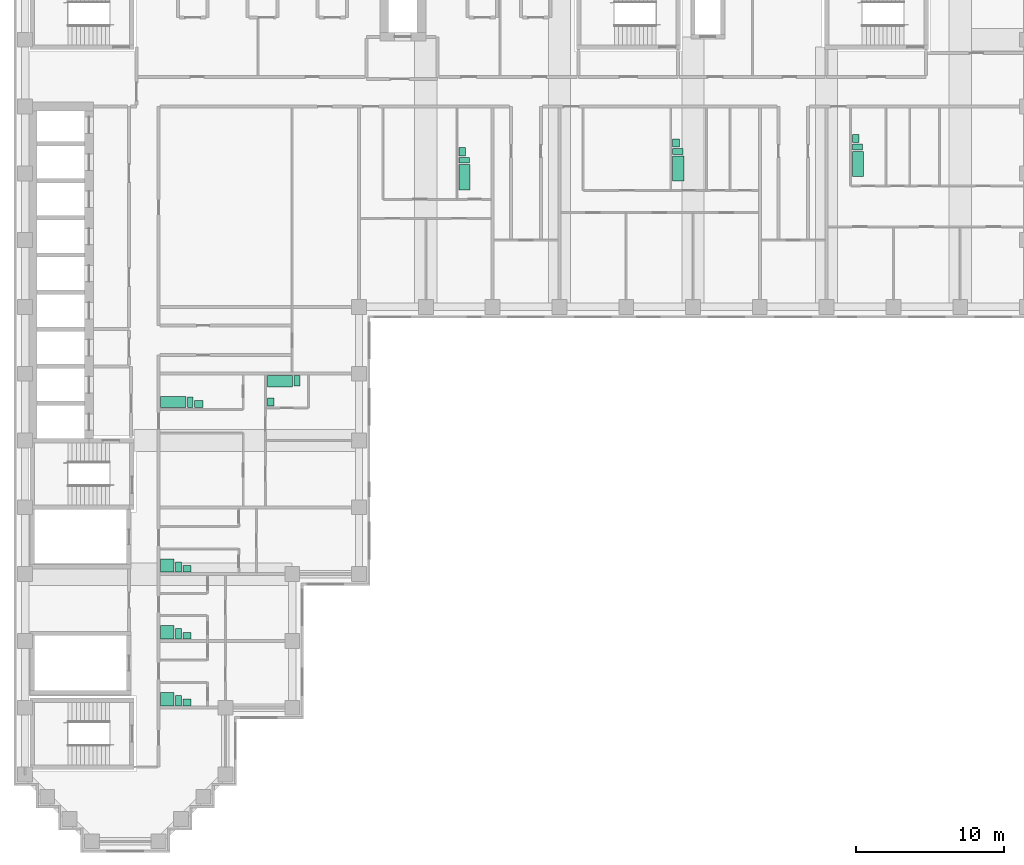
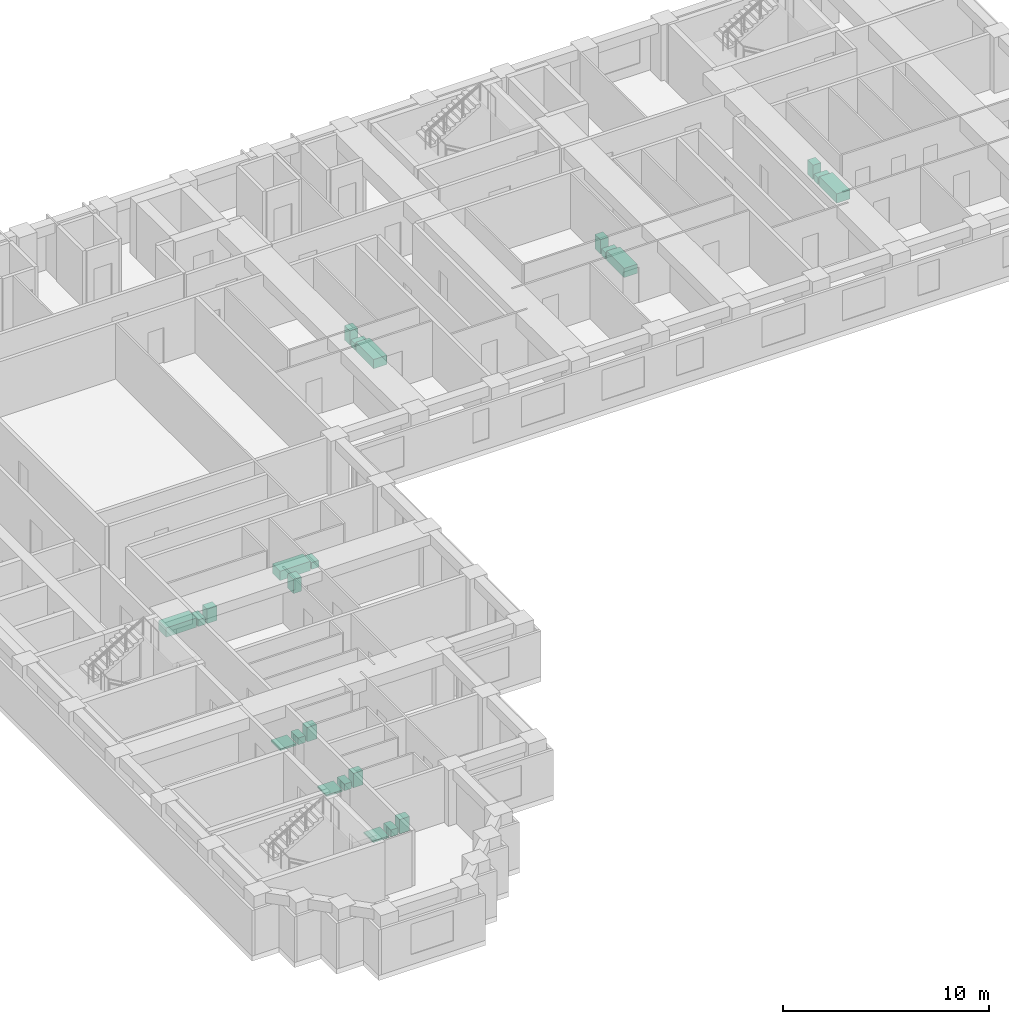
# One storey, part 12 of 12: 24 sanitary terminals.
"""IFC4 building model written with IfcOpenShell, lengths in metres."""

from ifc_helpers import new_model, si_unit, direction, frame, origin, origin_2d, place, context, subcontext, project, spatial, rectangle, extrude, material, type_object, element, save


model = new_model("IFC4")

# Units and contexts
model_context = context("Model", 3, precision=1e-05, world=origin(), true_north=direction((0.0, 1.0)))
body_context = subcontext(model_context, "Body", "Model", "MODEL_VIEW")
ifc_project = project(units=[si_unit("LENGTHUNIT", "METRE"), si_unit("AREAUNIT", "SQUARE_METRE"), si_unit("VOLUMEUNIT", "CUBIC_METRE"), si_unit("PLANEANGLEUNIT", "RADIAN"), si_unit("MASSUNIT", "GRAM", prefix="KILO")], contexts=[model_context])

# Site, building, storey
site_placement = place(None, origin())
site = spatial("IfcSite", under=ifc_project, at=site_placement, CompositionType="ELEMENT")
building_placement = place(site_placement, origin())
building = spatial("IfcBuilding", under=site, at=building_placement, Name="Firuza Court", CompositionType="ELEMENT")
storey_placement = place(building_placement, frame((0.0, 0.0, 148.39990234375)))
storey = spatial("IfcBuildingStorey", under=building, at=storey_placement, Name="L37", CompositionType="ELEMENT", Elevation=148.39990234375)

# Sanitary terminals
ifc_material_1 = material(Name="Vitreous china", Category="ceramic")
sanitary_terminal_type_1 = type_object("IfcSanitaryTerminalType", Name="Fixture Bath", PredefinedType="BATH", material=ifc_material_1)
for number, where, z_axis, x_axis, name in (
    (1, (29.60498046875, 44.72998046875, 0.0), (0.0, 0.0, 1.0), (1.0, 0.0, 0.0), "Bath"),
    (2, (44.0048828125, 45.330078125, 0.0), (0.0, 0.0, 1.0), (1.0, 0.0, 0.0), "Bath"),
    (3, (56.10498046875, 45.6298828125, 0.0), (0.0, 0.0, 1.0), (1.0, 0.0, 0.0), "Bath"),
):
    element("IfcSanitaryTerminal", number, at=place(storey_placement, frame(where, z_axis=z_axis, x_axis=x_axis)), inside=storey, type_object=sanitary_terminal_type_1, Name=name, PredefinedType="BATH", context=body_context, shape_type="SweptSolid", body=[
        extrude(rectangle(XDim=0.75, YDim=1.699951171875, at=origin_2d()), origin(), (0.0, 0.0, 1.0), 0.550048828125),
    ])
for number, where, z_axis, x_axis, name in (
    (4, (9.97998046875, 29.60498046875, 0.0), (0.0, 0.0, 1.0), (1.0, 0.0, 0.0), "Bath"),
    (5, (17.179931640625, 30.9951171875, 0.0), (0.0, 0.0, 1.0), (1.0, 0.0, 0.0), "Bath"),
):
    element("IfcSanitaryTerminal", number, at=place(storey_placement, frame(where, z_axis=z_axis, x_axis=x_axis)), inside=storey, type_object=sanitary_terminal_type_1, Name=name, PredefinedType="BATH", context=body_context, shape_type="SweptSolid", body=[
        extrude(rectangle(XDim=1.699951171875, YDim=0.75, at=origin_2d()), origin(), (0.0, 0.0, 1.0), 0.550048828125),
    ])
ifc_material_2 = material(Name="Vitreous china", Category="ceramic")
sanitary_terminal_type_2 = type_object("IfcSanitaryTerminalType", Name="Fixture Shower tray", PredefinedType="SHOWER", material=ifc_material_2)
for number, where, z_axis, x_axis, name in (
    (6, (9.580078125, 18.580078125, 0.0), (0.0, 0.0, 1.0), (1.0, 0.0, 0.0), "Shower tray"),
    (7, (9.580078125, 14.080078125, 0.0), (0.0, 0.0, 1.0), (1.0, 0.0, 0.0), "Shower tray"),
    (8, (9.580078125, 9.580078125, 0.0), (0.0, 0.0, 1.0), (1.0, 0.0, 0.0), "Shower tray"),
):
    element("IfcSanitaryTerminal", number, at=place(storey_placement, frame(where, z_axis=z_axis, x_axis=x_axis)), inside=storey, type_object=sanitary_terminal_type_2, Name=name, PredefinedType="SHOWER", context=body_context, shape_type="SweptSolid", body=[
        extrude(rectangle(XDim=0.89990234375, YDim=0.89990234375, at=origin_2d()), origin(), (0.0, 0.0, 1.0), 0.10009765625),
    ])
ifc_material_3 = material(Name="Vitreous china", Category="ceramic")
sanitary_terminal_type_3 = type_object("IfcSanitaryTerminalType", Name="Fixture WC pan", PredefinedType="TOILETPAN", material=ifc_material_3)
for number, where, z_axis, x_axis, name in (
    (9, (29.580078125, 45.8798828125, 0.000244140625), (0.0, 0.0, 1.0), (1.0, 0.0, 0.0), "WC pan"),
    (10, (43.97998046875, 46.47998046875, 0.000244140625), (0.0, 0.0, 1.0), (1.0, 0.0, 0.0), "WC pan"),
    (11, (56.080078125, 46.780029296875, 0.000244140625), (0.0, 0.0, 1.0), (1.0, 0.0, 0.0), "WC pan"),
):
    element("IfcSanitaryTerminal", number, at=place(storey_placement, frame(where, z_axis=z_axis, x_axis=x_axis)), inside=storey, type_object=sanitary_terminal_type_3, Name=name, PredefinedType="TOILETPAN", context=body_context, shape_type="SweptSolid", body=[
        extrude(rectangle(XDim=0.699951171875, YDim=0.39990234375, at=origin_2d()), origin(), (0.0, 0.0, 1.0), 0.39990234375),
    ])
for number, where, z_axis, x_axis, name in (
    (12, (11.1298828125, 29.580078125, 0.000244140625), (0.0, 0.0, 1.0), (1.0, 0.0, 0.0), "WC pan"),
    (13, (18.330078125, 31.02001953125, 0.000244140625), (0.0, 0.0, 1.0), (1.0, 0.0, 0.0), "WC pan"),
    (14, (10.330078125, 18.47998046875, 0.000244140625), (0.0, 0.0, 1.0), (1.0, 0.0, 0.0), "WC pan"),
    (15, (10.330078125, 13.97998046875, 0.000244140625), (0.0, 0.0, 1.0), (1.0, 0.0, 0.0), "WC pan"),
    (16, (10.330078125, 9.47998046875, 0.000244140625), (0.0, 0.0, 1.0), (1.0, 0.0, 0.0), "WC pan"),
):
    element("IfcSanitaryTerminal", number, at=place(storey_placement, frame(where, z_axis=z_axis, x_axis=x_axis)), inside=storey, type_object=sanitary_terminal_type_3, Name=name, PredefinedType="TOILETPAN", context=body_context, shape_type="SweptSolid", body=[
        extrude(rectangle(XDim=0.39990234375, YDim=0.699951171875, at=origin_2d()), origin(), (0.0, 0.0, 1.0), 0.39990234375),
    ])
ifc_material_4 = material(Name="Vitreous china", Category="ceramic")
sanitary_terminal_type_4 = type_object("IfcSanitaryTerminalType", Name="Fixture Washbasin", PredefinedType="WASHHANDBASIN", material=ifc_material_4)
for number, where, z_axis, x_axis, name in (
    (17, (29.455078125, 46.455078125, 0.0), (0.0, 0.0, 1.0), (1.0, 0.0, 0.0), "Washbasin"),
    (18, (43.85498046875, 47.054931640625, 0.0), (0.0, 0.0, 1.0), (1.0, 0.0, 0.0), "Washbasin"),
    (19, (55.955078125, 47.35498046875, 0.0), (0.0, 0.0, 1.0), (1.0, 0.0, 0.0), "Washbasin"),
):
    element("IfcSanitaryTerminal", number, at=place(storey_placement, frame(where, z_axis=z_axis, x_axis=x_axis)), inside=storey, type_object=sanitary_terminal_type_4, Name=name, PredefinedType="WASHHANDBASIN", context=body_context, shape_type="SweptSolid", body=[
        extrude(rectangle(XDim=0.449951171875, YDim=0.550048828125, at=origin_2d()), origin(), (0.0, 0.0, 1.0), 0.85009765625),
    ])
sanitary_terminal_1_placement = place(storey_placement, frame((11.705078125, 29.455078125, 0.0), z_axis=(0.0, 0.0, 1.0), x_axis=(1.0, 0.0, 0.0)))
element("IfcSanitaryTerminal", 20, at=sanitary_terminal_1_placement, inside=storey, type_object=sanitary_terminal_type_4, Name="Washbasin", PredefinedType="WASHHANDBASIN", context=body_context, shape_type="SweptSolid", body=[
    extrude(rectangle(XDim=0.550048828125, YDim=0.449951171875, at=origin_2d()), origin(), (0.0, 0.0, 1.0), 0.85009765625),
])
sanitary_terminal_2_placement = place(storey_placement, frame((16.554931640625, 29.60498046875, 0.0), z_axis=(0.0, 0.0, 1.0), x_axis=(1.0, 0.0, 0.0)))
element("IfcSanitaryTerminal", 21, at=sanitary_terminal_2_placement, inside=storey, type_object=sanitary_terminal_type_4, Name="Washbasin", PredefinedType="WASHHANDBASIN", context=body_context, shape_type="SweptSolid", body=[
    extrude(rectangle(XDim=0.449951171875, YDim=0.550048828125, at=origin_2d()), origin(), (0.0, 0.0, 1.0), 0.85009765625),
])
for number, where, z_axis, x_axis, name in (
    (22, (10.905029296875, 18.35498046875, 0.0), (0.0, 0.0, 1.0), (1.0, 0.0, 0.0), "Washbasin"),
    (23, (10.905029296875, 13.85498046875, 0.0), (0.0, 0.0, 1.0), (1.0, 0.0, 0.0), "Washbasin"),
    (24, (10.905029296875, 9.35498046875, 0.0), (0.0, 0.0, 1.0), (1.0, 0.0, 0.0), "Washbasin"),
):
    element("IfcSanitaryTerminal", number, at=place(storey_placement, frame(where, z_axis=z_axis, x_axis=x_axis)), inside=storey, type_object=sanitary_terminal_type_4, Name=name, PredefinedType="WASHHANDBASIN", context=body_context, shape_type="SweptSolid", body=[
        extrude(rectangle(XDim=0.550048828125, YDim=0.449951171875, at=origin_2d()), origin(), (0.0, 0.0, 1.0), 0.85009765625),
    ])

save(model, "model.ifc")
